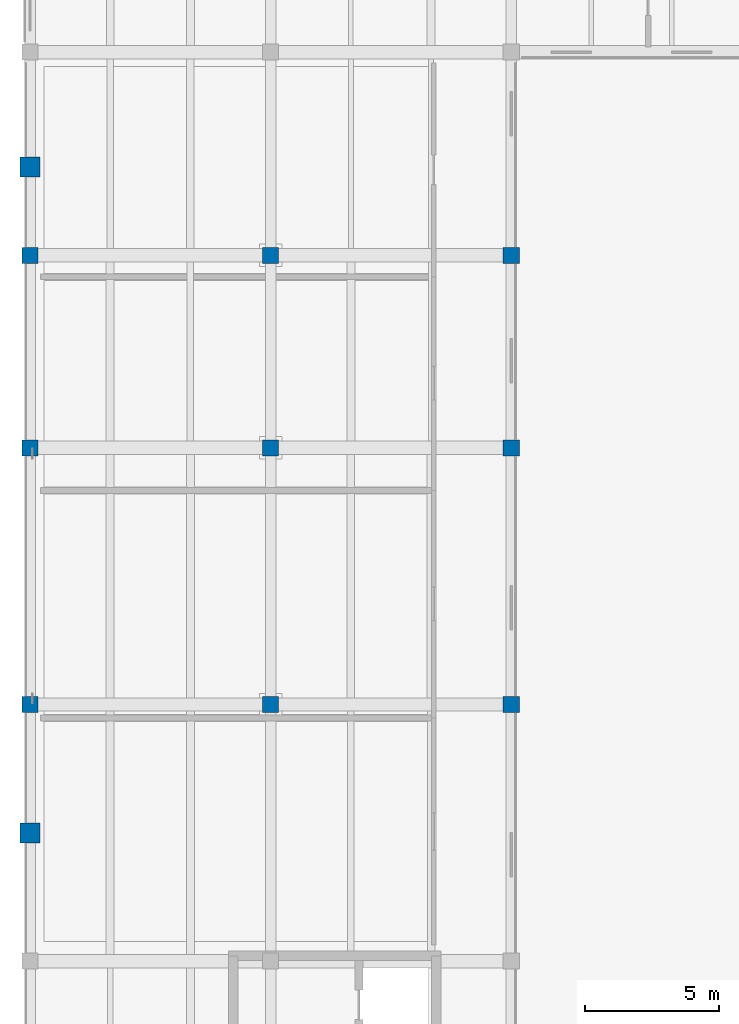
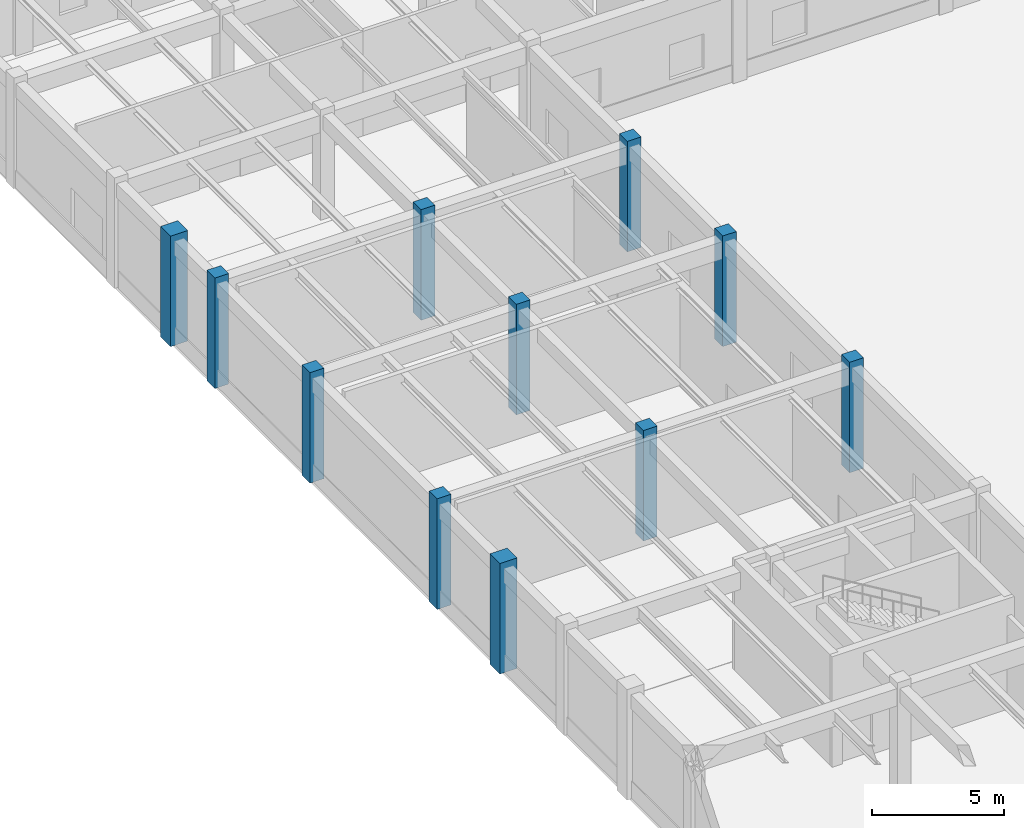
# One storey, part 8 of 64: 11 columns.
"""IFC4 building model written with IfcOpenShell, lengths in metres."""

import ifcopenshell
import ifcopenshell.guid

model = None  # the IFC model being written
_history = None  # IfcOwnerHistory: only IFC2X3 demands one
_inside = {}  # id of a spatial element -> (the spatial element, [elements in it])
_under = {}  # id of a project, library or spatial element -> (it, [spatial elements below it])
_declared = {}  # id of a project -> (the project, [libraries it declares])
_typed = {}  # id of a type object -> (the type object, [elements of that type])
_made_of = {}  # id of a material, layer set ... -> (it, [elements and type objects made of it])


def new_model(schema):
    """Start an empty IFC model of exactly this schema.

    Asked for "IFC4X3", IfcOpenShell would pick the latest addendum, in which some entities
    have other attributes; the version numbers below select the first issue.
    IFC2X3 requires an IfcOwnerHistory on every rooted entity: one is made here for all.
    """
    global model, _history
    if schema == "IFC4X3":
        model = ifcopenshell.file(schema_version=(4, 3, 0, 0))
    else:
        model = ifcopenshell.file(schema=schema)
    _inside.clear()
    _under.clear()
    _declared.clear()
    _typed.clear()
    _made_of.clear()
    _history = None
    if model.schema == "IFC2X3":
        org = make("IfcOrganization", Name="unknown")
        user = make(
            "IfcPersonAndOrganization",
            ThePerson=make("IfcPerson", FamilyName="unknown"),
            TheOrganization=org,
        )
        app = make(
            "IfcApplication",
            ApplicationDeveloper=org,
            Version="unknown",
            ApplicationFullName="unknown",
            ApplicationIdentifier="unknown",
        )
        _history = make(
            "IfcOwnerHistory",
            OwningUser=user,
            OwningApplication=app,
            ChangeAction="ADDED",
            CreationDate=0,
        )
    return model


def make(cls, **values):
    """One entity of the class cls with the attributes given. An attribute that is None is left unset."""
    return model.create_entity(
        cls, **{name: value for name, value in values.items() if value is not None}
    )


def rooted(cls, **values):
    """An entity with a GlobalId (a new one), such as an element, a storey or a relation."""
    return make(cls, GlobalId=ifcopenshell.guid.new(), OwnerHistory=_history, **values)


def si_unit(unit_type, name, prefix=None):
    """IfcSIUnit, for example si_unit("LENGTHUNIT", "METRE", prefix="MILLI")."""
    return make("IfcSIUnit", UnitType=unit_type, Prefix=prefix, Name=name)


def assignment(units):
    """IfcUnitAssignment: the units of a project."""
    return None if units is None else make("IfcUnitAssignment", Units=units)


def point(xyz):
    """IfcCartesianPoint."""
    return None if xyz is None else make("IfcCartesianPoint", Coordinates=xyz)


def direction(xyz):
    """IfcDirection."""
    return None if xyz is None else make("IfcDirection", DirectionRatios=xyz)


def frame(location, z_axis=None, x_axis=None):
    """IfcAxis2Placement3D, a coordinate frame: its origin and axes. An axis left out is left unset."""
    return make(
        "IfcAxis2Placement3D",
        Location=point(location),
        Axis=direction(z_axis),
        RefDirection=direction(x_axis),
    )


def frame_2d(location, x_axis=None):
    """IfcAxis2Placement2D, a coordinate frame in the plane: its origin and x axis."""
    return make(
        "IfcAxis2Placement2D", Location=point(location), RefDirection=direction(x_axis)
    )


def origin():
    """The frame at (0, 0, 0) with its axes left unset."""
    return frame((0.0, 0.0, 0.0))


def origin_2d():
    """The frame at (0, 0) in the plane with its x axis left unset."""
    return frame_2d((0.0, 0.0))


def place(relative_to, where):
    """IfcLocalPlacement: puts the frame where relative to a parent placement (None: the world)."""
    return make(
        "IfcLocalPlacement", PlacementRelTo=relative_to, RelativePlacement=where
    )


def context(
    kind, dimensions, precision=None, world=None, true_north=None, identifier=None
):
    """IfcGeometricRepresentationContext, for example the 3D "Model" context."""
    return make(
        "IfcGeometricRepresentationContext",
        ContextIdentifier=identifier,
        ContextType=kind,
        CoordinateSpaceDimension=dimensions,
        Precision=precision,
        WorldCoordinateSystem=world,
        TrueNorth=true_north,
    )


def subcontext(parent, identifier, kind, view, scale=None):
    """IfcGeometricRepresentationSubContext, for example "Body" below "Model"."""
    return make(
        "IfcGeometricRepresentationSubContext",
        ContextIdentifier=identifier,
        ContextType=kind,
        ParentContext=parent,
        TargetScale=scale,
        TargetView=view,
    )


def project(units=None, contexts=None):
    """IfcProject with its units and contexts."""
    return rooted(
        "IfcProject",
        Name="project",
        RepresentationContexts=contexts,
        UnitsInContext=assignment(units),
    )


def spatial(cls, under=None, at=None, **own):
    """A site, building, storey or space (cls), placed at a placement, below another one or the project."""
    s = rooted(cls, ObjectPlacement=at, **own)
    if under is not None:
        _under.setdefault(under.id(), (under, []))[1].append(s)
    return s


def profile(cls, at=None, kind="AREA", **sizes):
    """A parametric profile (cls). Its sizes go by their IFC names, for example OverallWidth=200.0."""
    return make(cls, ProfileType=kind, Position=at, **sizes)


def rectangle(**sizes):
    """IfcRectangleProfileDef."""
    return profile("IfcRectangleProfileDef", **sizes)


def extrude(swept, where, along, depth):
    """IfcExtrudedAreaSolid: the profile swept, set in the frame where, extruded along a direction by depth."""
    return make(
        "IfcExtrudedAreaSolid",
        SweptArea=swept,
        Position=where,
        ExtrudedDirection=direction(along),
        Depth=depth,
    )


def shape(context_of_items, identifier, shape_type, items):
    """IfcShapeRepresentation: the items that make up one representation, for example the "Body"."""
    return make(
        "IfcShapeRepresentation",
        ContextOfItems=context_of_items,
        RepresentationIdentifier=identifier,
        RepresentationType=shape_type,
        Items=items,
    )


def material(Name=None, Category=None):
    """IfcMaterial."""
    return make("IfcMaterial", Name=Name, Category=Category)


def material_profile(
    of_material, cross_section, Name=None, Category=None, Priority=None
):
    """IfcMaterialProfile: a cross section and its material."""
    return make(
        "IfcMaterialProfile",
        Name=Name,
        Material=of_material,
        Profile=cross_section,
        Priority=Priority,
        Category=Category,
    )


def profile_set(profiles, Name=None, composite=None):
    """IfcMaterialProfileSet."""
    return make(
        "IfcMaterialProfileSet",
        Name=Name,
        MaterialProfiles=profiles,
        CompositeProfile=composite,
    )


def made_of(thing, what):
    """Note that an element or type object is made of a material, layer set ...; save() writes the relation."""
    if what is not None:
        _made_of.setdefault(what.id(), (what, []))[1].append(thing)
    return thing


def type_object(cls, material=None, **own):
    """A type object (cls), such as IfcWallType, which elements share."""
    return made_of(rooted(cls, **own), material)


def element(
    cls,
    number,
    at=None,
    inside=None,
    cuts=None,
    type_object=None,
    material=None,
    context=None,
    identifier="Body",
    shape_type=None,
    held_by="IfcProductDefinitionShape",
    body=None,
    shapes=None,
    **own,
):
    """One element of the class cls, such as IfcWall. Its Tag is "e" and its number.

    at: its placement. inside: the storey or other place that contains it. cuts: it is an
    opening in that element (IfcRelVoidsElement). A single representation is given by context,
    identifier, shape_type and body (its items); several are given by shapes. held_by: the class
    of the entity that holds the representations. save() writes the other relations.
    """
    e = rooted(cls, Tag="e%d" % number, ObjectPlacement=at, **own)
    if body is not None:
        shapes = [shape(context, identifier, shape_type, body)]
    if shapes is not None:
        e.Representation = make(held_by, Representations=shapes)
    if inside is not None:
        _inside.setdefault(inside.id(), (inside, []))[1].append(e)
    if cuts is not None:
        rooted(
            "IfcRelVoidsElement", RelatingBuildingElement=cuts, RelatedOpeningElement=e
        )
    if type_object is not None:
        _typed.setdefault(type_object.id(), (type_object, []))[1].append(e)
    return made_of(e, material)


def aggregate(whole, parts):
    """IfcRelAggregates: a whole, such as a stair, and the parts it consists of."""
    return rooted("IfcRelAggregates", RelatingObject=whole, RelatedObjects=parts)


def save(model, path):
    """Write the relations noted so far, then the file.

    IfcRelAggregates (storeys below a building ...), IfcRelContainedInSpatialStructure (elements
    in a storey), IfcRelDefinesByType, IfcRelAssociatesMaterial and IfcRelDeclares: one each for
    every whole, place, type object, material and project.
    """
    for whole, parts in _under.values():
        aggregate(whole, parts)
    for where, things in _inside.values():
        rooted(
            "IfcRelContainedInSpatialStructure",
            RelatedElements=things,
            RelatingStructure=where,
        )
    for kind, things in _typed.values():
        rooted("IfcRelDefinesByType", RelatedObjects=things, RelatingType=kind)
    for what, things in _made_of.values():
        rooted("IfcRelAssociatesMaterial", RelatedObjects=things, RelatingMaterial=what)
    for by, libraries in _declared.values():
        rooted("IfcRelDeclares", RelatingContext=by, RelatedDefinitions=libraries)
    model.write(path)


model = new_model("IFC4")

# Units and contexts
model_context = context("Model", 3, precision=1e-05, world=origin(), true_north=direction((0.0, 1.0)))
body_context = subcontext(model_context, "Body", "Model", "MODEL_VIEW")
ifc_project = project(units=[si_unit("LENGTHUNIT", "METRE"), si_unit("AREAUNIT", "SQUARE_METRE"), si_unit("VOLUMEUNIT", "CUBIC_METRE"), si_unit("PLANEANGLEUNIT", "RADIAN"), si_unit("MASSUNIT", "GRAM", prefix="KILO")], contexts=[model_context])

# Site, building, storey
site_placement = place(None, origin())
site = spatial("IfcSite", under=ifc_project, at=site_placement, CompositionType="ELEMENT")
building_placement = place(site_placement, origin())
building = spatial("IfcBuilding", under=site, at=building_placement, Name="Montealbar Specialist Clinic", CompositionType="ELEMENT")
storey_placement = place(building_placement, origin())
storey = spatial("IfcBuildingStorey", under=building, at=storey_placement, Name="L00", CompositionType="ELEMENT", Elevation=0.0)

# Columns
ifc_material_1 = material(Name="Concrete C35/45", Category="concrete")
ifc_material_profile_1 = material_profile(ifc_material_1, rectangle(XDim=0.60009765625, YDim=0.60009765625, at=origin_2d()), Name="RC 600x600", Category="concrete")
ifc_profile_set_1 = profile_set([ifc_material_profile_1], Name="Concrete C35/45")
column_type_1 = type_object("IfcColumnType", Name="COL-RC-L00", PredefinedType="COLUMN", material=ifc_profile_set_1)
for number, where, z_axis, x_axis, name in (
    (1, (9.0, 71.39990234375, 0.0), (0.0, 0.0, 1.0), (1.0, 0.0, 0.0), "Column 2/J L00"),
    (2, (9.0, 81.0, 0.0), (0.0, 0.0, 1.0), (1.0, 0.0, 0.0), "Column 2/K L00"),
    (3, (9.0, 88.199951171875, 0.0), (0.0, 0.0, 1.0), (1.0, 0.0, 0.0), "Column 2/L L00"),
):
    element("IfcColumn", number, at=place(storey_placement, frame(where, z_axis=z_axis, x_axis=x_axis)), inside=storey, type_object=column_type_1, Name=name, PredefinedType="COLUMN", context=body_context, shape_type="SweptSolid", body=[
        extrude(rectangle(XDim=0.60009765625, YDim=0.60009765625, at=origin_2d()), origin(), (0.0, 0.0, 1.0), 5.10009765625),
    ])
ifc_material_profile_2 = material_profile(ifc_material_1, rectangle(XDim=0.60009765625, YDim=0.60009765625, at=origin_2d()), Name="RC 600x600", Category="concrete")
ifc_profile_set_2 = profile_set([ifc_material_profile_2], Name="Concrete C35/45")
column_type_2 = type_object("IfcColumnType", Name="COL-RC-L00-EXT", PredefinedType="COLUMN", material=ifc_profile_set_2)
for number, where, z_axis, x_axis, name in (
    (4, (0.0, 71.39990234375, 0.0), (0.0, 0.0, 1.0), (1.0, 0.0, 0.0), "Column 1/J L00"),
    (5, (0.0, 81.0, 0.0), (0.0, 0.0, 1.0), (1.0, 0.0, 0.0), "Column 1/K L00"),
    (6, (0.0, 88.199951171875, 0.0), (0.0, 0.0, 1.0), (1.0, 0.0, 0.0), "Column 1/L L00"),
    (7, (18.0, 71.39990234375, 0.0), (0.0, 0.0, 1.0), (1.0, 0.0, 0.0), "Column 3/J L00"),
    (8, (18.0, 81.0, 0.0), (0.0, 0.0, 1.0), (1.0, 0.0, 0.0), "Column 3/K L00"),
    (9, (18.0, 88.199951171875, 0.0), (0.0, 0.0, 1.0), (1.0, 0.0, 0.0), "Column 3/L L00"),
):
    element("IfcColumn", number, at=place(storey_placement, frame(where, z_axis=z_axis, x_axis=x_axis)), inside=storey, type_object=column_type_2, Name=name, PredefinedType="COLUMN", context=body_context, shape_type="SweptSolid", body=[
        extrude(rectangle(XDim=0.60009765625, YDim=0.60009765625, at=origin_2d()), origin(), (0.0, 0.0, 1.0), 5.10009765625),
    ])
ifc_material_2 = material(Name="Guadarrama granite ashlar", Category="masonry")
ifc_material_profile_3 = material_profile(ifc_material_2, rectangle(XDim=0.75, YDim=0.75, at=origin_2d()), Name="GRANITE PILASTER 750x750", Category="masonry")
ifc_profile_set_3 = profile_set([ifc_material_profile_3], Name="Guadarrama granite ashlar")
column_type_3 = type_object("IfcColumnType", Name="PIL-PM-GIANT-EXT", PredefinedType="PILASTER", material=ifc_profile_set_3)
for number, where, z_axis, x_axis, name in (
    (10, (0.0, 66.60009765625, 0.0), (0.0, 0.0, 1.0), (1.0, 0.0, 0.0), "Column WP2/HJ L00"),
    (11, (0.0, 91.5, 0.0), (0.0, 0.0, 1.0), (1.0, 0.0, 0.0), "Column WP3/LM L00"),
):
    element("IfcColumn", number, at=place(storey_placement, frame(where, z_axis=z_axis, x_axis=x_axis)), inside=storey, type_object=column_type_3, Name=name, PredefinedType="PILASTER", context=body_context, shape_type="SweptSolid", body=[
        extrude(rectangle(XDim=0.75, YDim=0.75, at=origin_2d()), origin(), (0.0, 0.0, 1.0), 5.10009765625),
    ])

save(model, "model.ifc")
